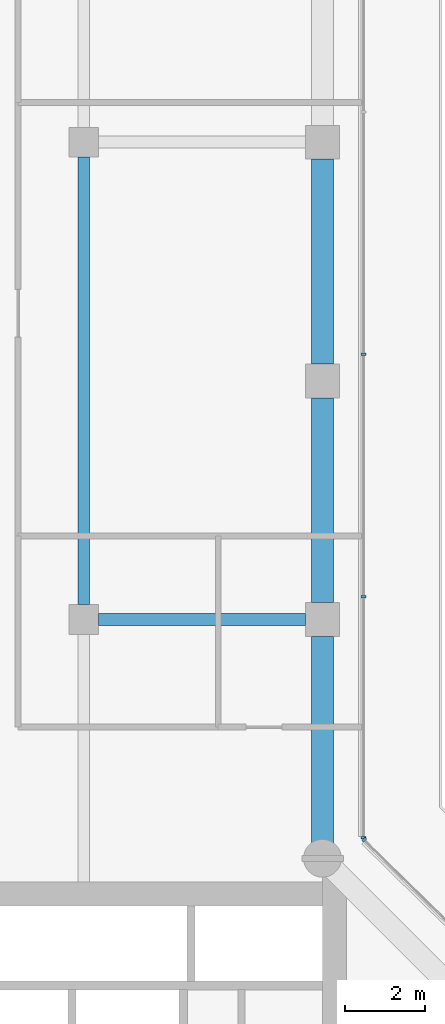
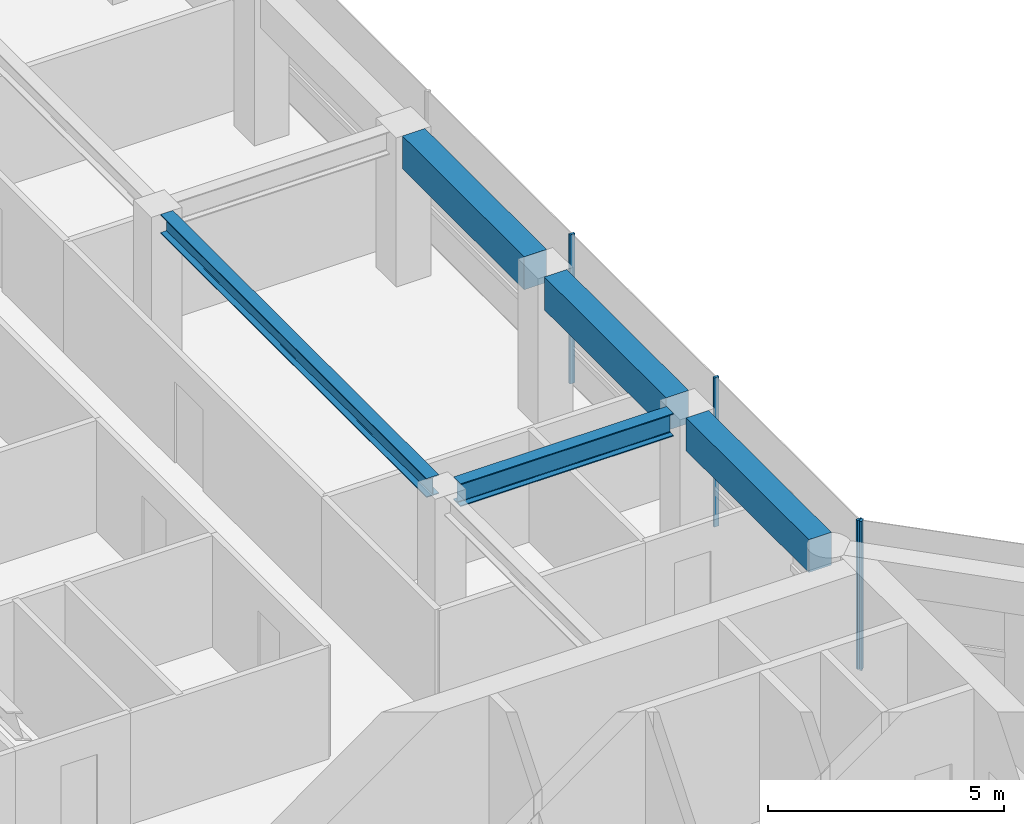
# One storey, part 8 of 19: 5 beams, 4 members, 2 elements without a shape of their own.
"""IFC4 building model written with IfcOpenShell, lengths in metres."""

from ifc_helpers import new_model, si_unit, direction, frame, origin, origin_2d, place, context, subcontext, project, spatial, rectangle, i_section, extrude, material, layer, layer_set, material_profile, profile_set, type_object, element, aggregate, save


model = new_model("IFC4")

# Units and contexts
model_context = context("Model", 3, precision=1e-05, world=origin(), true_north=direction((0.0, 1.0)))
body_context = subcontext(model_context, "Body", "Model", "MODEL_VIEW")
ifc_project = project(units=[si_unit("LENGTHUNIT", "METRE"), si_unit("AREAUNIT", "SQUARE_METRE"), si_unit("VOLUMEUNIT", "CUBIC_METRE"), si_unit("PLANEANGLEUNIT", "RADIAN"), si_unit("MASSUNIT", "GRAM", prefix="KILO")], contexts=[model_context])

# Site, building, storey
site_placement = place(None, origin())
site = spatial("IfcSite", under=ifc_project, at=site_placement, CompositionType="ELEMENT")
building_placement = place(site_placement, origin())
building = spatial("IfcBuilding", under=site, at=building_placement, Name="Welwitschia Terrace Campus", CompositionType="ELEMENT")
storey_placement = place(building_placement, frame((0.0, 0.0, 171.800048828125)))
storey = spatial("IfcBuildingStorey", under=building, at=storey_placement, Name="L38", CompositionType="ELEMENT", Elevation=171.800048828125)

# Beam
ifc_material_1 = material(Name="Steel S355", Category="steel")
ifc_material_profile_1 = material_profile(ifc_material_1, i_section(OverallWidth=0.300048828125, OverallDepth=0.489990234375, WebThickness=0.011962890625, FlangeThickness=0.02294921875, FilletRadius=0.027099609375, at=origin_2d()))
ifc_profile_set_1 = profile_set([ifc_material_profile_1], Name="Steel S355")
beam_type_1 = type_object("IfcBeamType", Name="Interior girder HE 500 A", PredefinedType="BEAM", material=ifc_profile_set_1)
beam_1_placement = place(storey_placement, frame((18.0, 32.37548828125, 3.60498046875), z_axis=(0.0, 1.0, 0.0), x_axis=(-1.0, 0.0, 0.0)))
element("IfcBeam", 1, at=beam_1_placement, inside=storey, type_object=beam_type_1, Name="Girder GB4", PredefinedType="BEAM", context=body_context, shape_type="SweptSolid", body=[
    extrude(i_section(OverallWidth=0.300048828125, OverallDepth=0.489990234375, WebThickness=0.011962890625, FlangeThickness=0.02294921875, FilletRadius=0.027099609375, at=origin_2d()), origin(), (0.0, 0.0, 1.0), 11.2490234375),
])

# Curtain wall, member
ifc_material_2 = material(Name="Bronze anodised aluminium", Category="aluminium")
ifc_layer = layer(ifc_material_2, 0.1201171875)
ifc_layer_set = layer_set([ifc_layer], Name="Bronze anodised aluminium")
curtain_wall_type = type_object("IfcCurtainWallType", Name="Curtain wall CW2 tower 6000", PredefinedType="NOTDEFINED", material=ifc_layer_set)
curtain_wall_1_placement = place(storey_placement, origin())
curtain_wall_1 = element("IfcCurtainWall", 2, at=curtain_wall_1_placement, inside=storey, type_object=curtain_wall_type, Name="CW L38.9.0", PredefinedType="NOTDEFINED")
ifc_material_3 = material(Name="Bronze anodised aluminium", Category="aluminium")
ifc_material_profile_2 = material_profile(ifc_material_3, rectangle(XDim=0.1201171875, YDim=0.06005859375, at=origin_2d()))
ifc_profile_set_2 = profile_set([ifc_material_profile_2], Name="Bronze anodised aluminium")
member_type = type_object("IfcMemberType", Name="Mullion 60x120", PredefinedType="MULLION", material=ifc_profile_set_2)
member_1_placement = place(storey_placement, frame((25.051513671875, 26.465087890625, 0.0), z_axis=(0.0, 0.0, 1.0), x_axis=(-0.7009092643, -0.713250449154, 0.0)))
member_1 = element("IfcMember", 3, at=member_1_placement, type_object=member_type, Name="Mullion L38.9.0.1", PredefinedType="MULLION", context=body_context, shape_type="SweptSolid", body=[
    extrude(rectangle(XDim=0.1201171875, YDim=0.06005859375, at=origin_2d()), origin(), (0.0, 0.0, 1.0), 3.849853515625),
])
aggregate(curtain_wall_1, [member_1])

# Curtain wall, members
curtain_wall_2_placement = place(storey_placement, origin())
curtain_wall_2 = element("IfcCurtainWall", 4, at=curtain_wall_2_placement, inside=storey, type_object=curtain_wall_type, Name="CW L38.10.0", PredefinedType="NOTDEFINED")
member_2_placement = place(storey_placement, frame((25.030029296875, 26.51611328125, 0.0), z_axis=(0.0, 0.0, 1.0), x_axis=(-1.0, 0.0, 0.0)))
member_2 = element("IfcMember", 5, at=member_2_placement, type_object=member_type, Name="Mullion L38.10.0.0", PredefinedType="MULLION", context=body_context, shape_type="SweptSolid", body=[
    extrude(rectangle(XDim=0.1201171875, YDim=0.06005859375, at=origin_2d()), origin(), (0.0, 0.0, 1.0), 3.849853515625),
])
member_3_placement = place(storey_placement, frame((25.030029296875, 32.57666015625, 0.0), z_axis=(0.0, 0.0, 1.0), x_axis=(-1.0, 0.0, 0.0)))
member_3 = element("IfcMember", 6, at=member_3_placement, type_object=member_type, Name="Mullion L38.10.0.1", PredefinedType="MULLION", context=body_context, shape_type="SweptSolid", body=[
    extrude(rectangle(XDim=0.1201171875, YDim=0.06005859375, at=origin_2d()), origin(), (0.0, 0.0, 1.0), 3.849853515625),
])
member_4_placement = place(storey_placement, frame((25.030029296875, 38.66748046875, 0.0), z_axis=(0.0, 0.0, 1.0), x_axis=(-1.0, 0.0, 0.0)))
member_4 = element("IfcMember", 7, at=member_4_placement, type_object=member_type, Name="Mullion L38.10.0.2", PredefinedType="MULLION", context=body_context, shape_type="SweptSolid", body=[
    extrude(rectangle(XDim=0.1201171875, YDim=0.06005859375, at=origin_2d()), origin(), (0.0, 0.0, 1.0), 3.849853515625),
])
aggregate(curtain_wall_2, [member_2, member_3, member_4])

# Beams
ifc_material_4 = material(Name="Steel S355", Category="steel")
ifc_material_profile_3 = material_profile(ifc_material_4, i_section(OverallWidth=0.300048828125, OverallDepth=0.590087890625, WebThickness=0.012939453125, FlangeThickness=0.02490234375, FilletRadius=0.027099609375, at=origin_2d()))
ifc_profile_set_3 = profile_set([ifc_material_profile_3], Name="Steel S355")
beam_type_2 = type_object("IfcBeamType", Name="Primary beam HE 600 A", PredefinedType="BEAM", material=ifc_profile_set_3)
beam_2_placement = place(storey_placement, frame((23.574462890625, 32.0, 3.554931640625), z_axis=(-1.0, 0.0, 0.0), x_axis=(0.0, -1.0, 0.0)))
element("IfcBeam", 8, at=beam_2_placement, inside=storey, type_object=beam_type_2, Name="Primary beam PB4", PredefinedType="BEAM", context=body_context, shape_type="SweptSolid", body=[
    extrude(i_section(OverallWidth=0.300048828125, OverallDepth=0.590087890625, WebThickness=0.012939453125, FlangeThickness=0.02490234375, FilletRadius=0.027099609375, at=origin_2d()), origin(), (0.0, 0.0, 1.0), 5.198974609375),
])
ifc_material_5 = material(Name="Concrete C50/60", Category="concrete")
ifc_material_profile_4 = material_profile(ifc_material_5, rectangle(XDim=0.550048828125, YDim=0.85009765625, at=origin_2d()))
ifc_profile_set_4 = profile_set([ifc_material_profile_4], Name="Concrete C50/60")
beam_type_3 = type_object("IfcBeamType", Name="Ring spandrel 550x850", PredefinedType="SPANDREL", material=ifc_profile_set_4)
beam_3_placement = place(storey_placement, frame((24.0, 26.387939453125, 3.425048828125), z_axis=(0.0, 1.0, 0.0), x_axis=(-1.0, 0.0, 0.0)))
element("IfcBeam", 9, at=beam_3_placement, inside=storey, type_object=beam_type_3, Name="Spandrel SP3", PredefinedType="SPANDREL", context=body_context, shape_type="SweptSolid", body=[
    extrude(rectangle(XDim=0.550048828125, YDim=0.85009765625, at=origin_2d()), origin(), (0.0, 0.0, 1.0), 5.1865234375),
])
for number, where, z_axis, x_axis, name in (
    (10, (24.0, 32.425537109375, 3.425048828125), (0.0, 1.0, 0.0), (-1.0, 0.0, 0.0), "Spandrel SP3"),
    (11, (24.0, 38.425537109375, 3.425048828125), (0.0, 1.0, 0.0), (-1.0, 0.0, 0.0), "Spandrel SP3"),
):
    element("IfcBeam", number, at=place(storey_placement, frame(where, z_axis=z_axis, x_axis=x_axis)), inside=storey, type_object=beam_type_3, Name=name, PredefinedType="SPANDREL", context=body_context, shape_type="SweptSolid", body=[
        extrude(rectangle(XDim=0.550048828125, YDim=0.85009765625, at=origin_2d()), origin(), (0.0, 0.0, 1.0), 5.14892578125),
    ])

save(model, "model.ifc")
